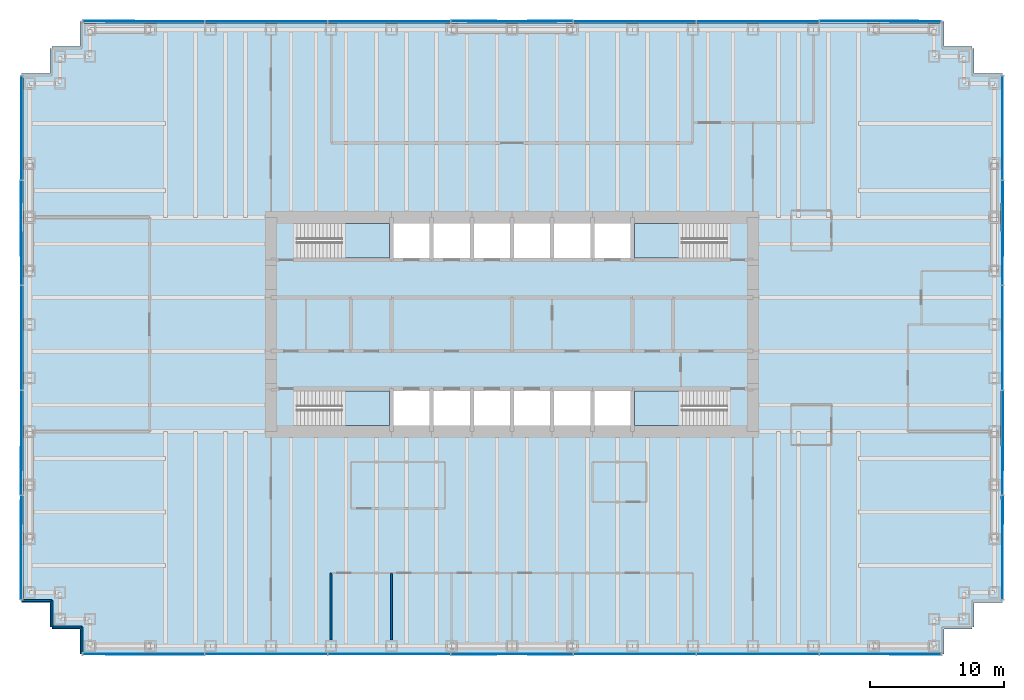
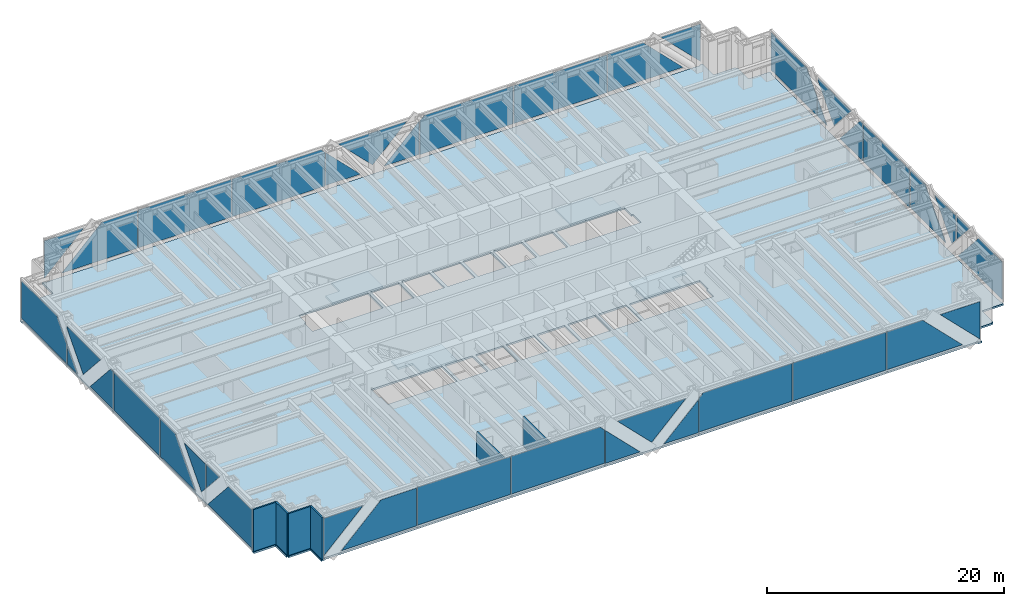
# One storey, part 8 of 13: 40 plates, 6 walls, 5 slabs, 8 elements without a shape of their own.
"""IFC4 building model written with IfcOpenShell, lengths in metres."""

from ifc_helpers import new_model, si_unit, direction, frame, frame_2d, origin, origin_2d, place, context, subcontext, project, spatial, polyline, rectangle, outline, extrude, material, layer, layer_set, type_object, element, aggregate, save


model = new_model("IFC4")

# Units and contexts
model_context = context("Model", 3, precision=1e-05, world=origin(), true_north=direction((0.0, 1.0)))
body_context = subcontext(model_context, "Body", "Model", "MODEL_VIEW")
ifc_project = project(units=[si_unit("LENGTHUNIT", "METRE"), si_unit("AREAUNIT", "SQUARE_METRE"), si_unit("VOLUMEUNIT", "CUBIC_METRE"), si_unit("PLANEANGLEUNIT", "RADIAN"), si_unit("MASSUNIT", "GRAM", prefix="KILO")], contexts=[model_context])

# Site, building, storey
site_placement = place(None, origin())
site = spatial("IfcSite", under=ifc_project, at=site_placement, CompositionType="ELEMENT")
building_placement = place(site_placement, origin())
building = spatial("IfcBuilding", under=site, at=building_placement, Name="Rheinbord Bourse Tower", CompositionType="ELEMENT")
storey_placement = place(building_placement, frame((0.0, 0.0, 32.0)))
storey = spatial("IfcBuildingStorey", under=building, at=storey_placement, Name="L06", CompositionType="ELEMENT", Elevation=32.0)

# Slab
ifc_material_1 = material(Name="Concrete C30/37", Category="concrete")
ifc_layer_1 = layer(ifc_material_1, 0.179931640625)
ifc_layer_set_1 = layer_set([ifc_layer_1], Name="COMPOSITE FLOOR SLAB 180")
slab_type_1 = type_object("IfcSlabType", Name="COMPOSITE FLOOR SLAB 180", PredefinedType="FLOOR", material=ifc_layer_set_1)
slab_1_placement = place(storey_placement, frame((0.0, 0.0, -0.179931640625)))
element("IfcSlab", 1, at=slab_1_placement, inside=storey, type_object=slab_type_1, Name="Floor slab L06", PredefinedType="FLOOR", context=body_context, shape_type="SweptSolid", body=[
    extrude(outline(polyline([(1.64990234375, 1.39990234375), (1.5, 1.39990234375), (1.5, 3.25), (-0.60009765625, 3.25), (-0.60009765625, 3.550048828125), (-0.5, 3.550048828125), (-0.5, 42.449951171875), (-0.60009765625, 42.449951171875), (-0.60009765625, 42.75), (1.5, 42.75), (1.5, 44.60009765625), (1.64990234375, 44.60009765625), (1.64990234375, 44.75), (3.75, 44.75), (3.75, 46.60009765625), (4.050048828125, 46.60009765625), (4.050048828125, 46.5), (67.949951171875, 46.5), (67.949951171875, 46.60009765625), (68.25, 46.60009765625), (68.25, 44.75), (70.35009765625, 44.75), (70.35009765625, 44.60009765625), (70.5, 44.60009765625), (70.5, 42.75), (72.60009765625, 42.75), (72.60009765625, 42.449951171875), (72.5, 42.449951171875), (72.5, 3.550048828125), (72.60009765625, 3.550048828125), (72.60009765625, 3.25), (70.5, 3.25), (70.5, 1.39990234375), (70.35009765625, 1.39990234375), (70.35009765625, 1.25), (68.25, 1.25), (68.25, -0.60009765625), (67.949951171875, -0.60009765625), (67.949951171875, -0.5), (4.050048828125, -0.5), (4.050048828125, -0.60009765625), (3.75, -0.60009765625), (3.75, 1.25), (1.64990234375, 1.25), (1.64990234375, 1.39990234375)]), holes=[polyline([(19.949951171875, 19.050048828125), (26.85009765625, 19.050048828125), (26.85009765625, 16.449951171875), (20.10009765625, 16.449951171875), (20.10009765625, 17.64990234375), (19.949951171875, 17.64990234375), (19.949951171875, 19.050048828125)]), polyline([(26.85009765625, 31.550048828125), (26.85009765625, 28.949951171875), (19.949951171875, 28.949951171875), (19.949951171875, 30.35009765625), (20.10009765625, 30.35009765625), (20.10009765625, 31.550048828125), (26.85009765625, 31.550048828125)]), polyline([(45.14990234375, 16.449951171875), (45.14990234375, 19.050048828125), (52.050048828125, 19.050048828125), (52.050048828125, 17.64990234375), (51.89990234375, 17.64990234375), (51.89990234375, 16.449951171875), (45.14990234375, 16.449951171875)]), polyline([(52.050048828125, 28.949951171875), (45.14990234375, 28.949951171875), (45.14990234375, 31.550048828125), (51.89990234375, 31.550048828125), (51.89990234375, 30.35009765625), (52.050048828125, 30.35009765625), (52.050048828125, 28.949951171875)]), polyline([(27.14990234375, 16.449951171875), (27.14990234375, 19.050048828125), (29.85009765625, 19.050048828125), (29.85009765625, 16.449951171875), (27.14990234375, 16.449951171875)]), polyline([(27.14990234375, 28.949951171875), (27.14990234375, 31.550048828125), (29.85009765625, 31.550048828125), (29.85009765625, 28.949951171875), (27.14990234375, 28.949951171875)]), polyline([(30.14990234375, 16.449951171875), (30.14990234375, 19.050048828125), (32.85009765625, 19.050048828125), (32.85009765625, 16.449951171875), (30.14990234375, 16.449951171875)]), polyline([(30.14990234375, 28.949951171875), (30.14990234375, 31.550048828125), (32.85009765625, 31.550048828125), (32.85009765625, 28.949951171875), (30.14990234375, 28.949951171875)]), polyline([(33.14990234375, 16.449951171875), (33.14990234375, 19.050048828125), (35.85009765625, 19.050048828125), (35.85009765625, 16.449951171875), (33.14990234375, 16.449951171875)]), polyline([(33.14990234375, 28.949951171875), (33.14990234375, 31.550048828125), (35.85009765625, 31.550048828125), (35.85009765625, 28.949951171875), (33.14990234375, 28.949951171875)]), polyline([(36.14990234375, 16.449951171875), (36.14990234375, 19.050048828125), (38.85009765625, 19.050048828125), (38.85009765625, 16.449951171875), (36.14990234375, 16.449951171875)]), polyline([(36.14990234375, 28.949951171875), (36.14990234375, 31.550048828125), (38.85009765625, 31.550048828125), (38.85009765625, 28.949951171875), (36.14990234375, 28.949951171875)]), polyline([(39.14990234375, 16.449951171875), (39.14990234375, 19.050048828125), (41.85009765625, 19.050048828125), (41.85009765625, 16.449951171875), (39.14990234375, 16.449951171875)]), polyline([(39.14990234375, 28.949951171875), (39.14990234375, 31.550048828125), (41.85009765625, 31.550048828125), (41.85009765625, 28.949951171875), (39.14990234375, 28.949951171875)]), polyline([(42.14990234375, 16.449951171875), (42.14990234375, 19.050048828125), (44.85009765625, 19.050048828125), (44.85009765625, 16.449951171875), (42.14990234375, 16.449951171875)]), polyline([(42.14990234375, 28.949951171875), (42.14990234375, 31.550048828125), (44.85009765625, 31.550048828125), (44.85009765625, 28.949951171875), (42.14990234375, 28.949951171875)])]), origin(), (0.0, 0.0, 1.0), 0.179931640625),
])

# Curtain wall, plates
ifc_material_2 = material(Name="Dark glass and black aluminium", Category="aluminium")
curtain_wall_type = type_object("IfcCurtainWallType", Name="CW1 DARK GLASS CURTAIN WALL", PredefinedType="USERDEFINED", material=ifc_material_2)
curtain_wall_1_placement = place(storey_placement, origin())
curtain_wall_1 = element("IfcCurtainWall", 2, at=curtain_wall_1_placement, inside=storey, type_object=curtain_wall_type, Name="Curtain wall CW1 S L06", ObjectType="UNITISED CURTAIN WALL", PredefinedType="USERDEFINED")
ifc_material_3 = material(Name="Dark tinted triple insulating glass", Category="glass")
ifc_layer_2 = layer(ifc_material_3, 0.0439453125)
ifc_layer_set_2 = layer_set([ifc_layer_2], Name="CW1 DARK GLASS PANEL")
plate_type = type_object("IfcPlateType", Name="CW1 DARK GLASS PANEL", PredefinedType="CURTAIN_PANEL", material=ifc_layer_set_2)
plate_1_placement = place(storey_placement, frame((17.6572265625, -0.60009765625, 0.300048828125), z_axis=(0.0, 0.0, 1.0), x_axis=(1.0, 0.0, 0.0)))
plate_1 = element("IfcPlate", 3, at=plate_1_placement, type_object=plate_type, Name="CW1 panel 2.1", PredefinedType="CURTAIN_PANEL", context=body_context, shape_type="SweptSolid", body=[
    extrude(rectangle(XDim=9.09130859375, YDim=0.0439453125, at=origin_2d()), origin(), (0.0, 0.0, 1.0), 3.89990234375),
])
plate_2_placement = place(storey_placement, frame((54.3427734375, -0.60009765625, 0.300048828125), z_axis=(0.0, 0.0, 1.0), x_axis=(1.0, 0.0, 0.0)))
plate_2 = element("IfcPlate", 4, at=plate_2_placement, type_object=plate_type, Name="CW1 panel 6.1", PredefinedType="CURTAIN_PANEL", context=body_context, shape_type="SweptSolid", body=[
    extrude(rectangle(XDim=9.09130859375, YDim=0.0439453125, at=origin_2d()), origin(), (0.0, 0.0, 1.0), 3.89990234375),
])
plate_3_placement = place(storey_placement, frame((3.97998046875, -0.6220703125, 4.199951171875), z_axis=(0.0, 1.0, 0.0), x_axis=(1.0, 0.0, 0.0)))
plate_3 = element("IfcPlate", 5, at=plate_3_placement, type_object=plate_type, Name="CW1 glass facet 1", PredefinedType="CURTAIN_PANEL", context=body_context, shape_type="SweptSolid", body=[
    extrude(outline(polyline([(0.0, 0.0), (3.864013671875, 0.0), (0.0, 3.864013671875), (0.0, 0.0)])), origin(), (0.0, 0.0, 1.0), 0.0439453125),
])
plate_4_placement = place(storey_placement, frame((13.031005859375, -0.6708984375, 4.199951171875), z_axis=(0.0, 1.0, 0.0), x_axis=(0.0, 0.0, -1.0)))
plate_4 = element("IfcPlate", 6, at=plate_4_placement, type_object=plate_type, Name="CW1 glass facet 2", PredefinedType="CURTAIN_PANEL", context=body_context, shape_type="SweptSolid", body=[
    extrude(outline(polyline([(0.0, 0.0), (3.89990234375, 0.0), (3.89990234375, 7.375), (0.0, 3.47509765625), (0.0, 0.0)])), origin(), (0.0, 0.0, 1.0), 0.0439453125),
])
plate_5_placement = place(storey_placement, frame((31.3740234375, -0.6220703125, 0.300048828125), z_axis=(0.0, 1.0, 0.0), x_axis=(-1.0, 0.0, 0.0)))
plate_5 = element("IfcPlate", 7, at=plate_5_placement, type_object=plate_type, Name="CW1 glass facet 1", PredefinedType="CURTAIN_PANEL", context=body_context, shape_type="SweptSolid", body=[
    extrude(outline(polyline([(0.0, 0.0), (9.091064453125, 0.0), (9.091064453125, 3.89990234375), (0.429931640625, 3.89990234375), (0.0, 3.469970703125), (0.0, 0.0)])), origin(), (0.0, 0.0, 1.0), 0.0439453125),
])
plate_6_placement = place(storey_placement, frame((31.4541015625, -0.6708984375, 0.300048828125), z_axis=(0.0, 1.0, 0.0), x_axis=(0.0, 0.0, 1.0)))
plate_6 = element("IfcPlate", 8, at=plate_6_placement, type_object=plate_type, Name="CW1 glass facet 1", PredefinedType="CURTAIN_PANEL", context=body_context, shape_type="SweptSolid", body=[
    extrude(outline(polyline([(0.0, 0.0), (3.389892578125, 0.0), (0.0, 3.389892578125), (0.0, 0.0)])), origin(), (0.0, 0.0, 1.0), 0.0439453125),
])
plate_7_placement = place(storey_placement, frame((39.343994140625, -0.6220703125, 4.199951171875), z_axis=(0.0, 1.0, 0.0), x_axis=(-0.707106781187, 0.0, -0.707106781187)))
plate_7 = element("IfcPlate", 9, at=plate_7_placement, type_object=plate_type, Name="CW1 glass facet 2", PredefinedType="CURTAIN_PANEL", context=body_context, shape_type="SweptSolid", body=[
    extrude(outline(polyline([(0.0, 0.0), (4.72900390625, 0.0), (4.72900390625, 4.72900390625), (0.0, 0.0)])), origin(), (0.0, 0.0, 1.0), 0.0439453125),
])
plate_8_placement = place(storey_placement, frame((40.5458984375, -0.6708984375, 0.300048828125), z_axis=(0.0, 1.0, 0.0), x_axis=(-1.0, 0.0, 0.0)))
plate_8 = element("IfcPlate", 10, at=plate_8_placement, type_object=plate_type, Name="CW1 glass facet 3", PredefinedType="CURTAIN_PANEL", context=body_context, shape_type="SweptSolid", body=[
    extrude(outline(polyline([(0.0, 0.0), (3.389892578125, 0.0), (0.0, 3.389892578125), (0.0, 0.0)])), origin(), (0.0, 0.0, 1.0), 0.0439453125),
])
plate_9_placement = place(storey_placement, frame((49.717041015625, -0.6220703125, 4.199951171875), z_axis=(0.0, 1.0, 0.0), x_axis=(0.0, 0.0, -1.0)))
plate_9 = element("IfcPlate", 11, at=plate_9_placement, type_object=plate_type, Name="CW1 glass facet 1", PredefinedType="CURTAIN_PANEL", context=body_context, shape_type="SweptSolid", body=[
    extrude(outline(polyline([(0.0, 0.0), (3.89990234375, 0.0), (3.89990234375, 9.091064453125), (0.429931640625, 9.091064453125), (0.0, 8.6611328125), (0.0, 0.0)])), origin(), (0.0, 0.0, 1.0), 0.0439453125),
])
plate_10_placement = place(storey_placement, frame((58.968994140625, -0.6220703125, 0.300048828125), z_axis=(0.0, 1.0, 0.0), x_axis=(0.0, 0.0, 1.0)))
plate_10 = element("IfcPlate", 12, at=plate_10_placement, type_object=plate_type, Name="CW1 glass facet 1", PredefinedType="CURTAIN_PANEL", context=body_context, shape_type="SweptSolid", body=[
    extrude(outline(polyline([(0.0, 0.0), (3.89990234375, 0.0), (3.89990234375, 3.47509765625), (0.0, 7.375), (0.0, 0.0)])), origin(), (0.0, 0.0, 1.0), 0.0439453125),
])
plate_11_placement = place(storey_placement, frame((68.02001953125, -0.6708984375, 4.199951171875), z_axis=(0.0, 1.0, 0.0), x_axis=(0.0, 0.0, -1.0)))
plate_11 = element("IfcPlate", 13, at=plate_11_placement, type_object=plate_type, Name="CW1 glass facet 2", PredefinedType="CURTAIN_PANEL", context=body_context, shape_type="SweptSolid", body=[
    extrude(outline(polyline([(0.0, 0.0), (3.864013671875, 0.0), (0.0, 3.864013671875), (0.0, 0.0)])), origin(), (0.0, 0.0, 1.0), 0.0439453125),
])
aggregate(curtain_wall_1, [plate_1, plate_2, plate_3, plate_4, plate_5, plate_6, plate_7, plate_8, plate_9, plate_10, plate_11])

curtain_wall_2_placement = place(storey_placement, origin())
curtain_wall_2 = element("IfcCurtainWall", 14, at=curtain_wall_2_placement, inside=storey, type_object=curtain_wall_type, Name="Curtain wall CW1 E L06", ObjectType="UNITISED CURTAIN WALL", PredefinedType="USERDEFINED")
plate_12_placement = place(storey_placement, frame((72.60009765625, 23.0, 0.300048828125), z_axis=(0.0, 0.0, 1.0), x_axis=(0.0, 1.0, 0.0)))
plate_12 = element("IfcPlate", 15, at=plate_12_placement, type_object=plate_type, Name="CW1 panel 3.1", PredefinedType="CURTAIN_PANEL", context=body_context, shape_type="SweptSolid", body=[
    extrude(rectangle(XDim=7.760009765625, YDim=0.0439453125, at=origin_2d()), origin(), (0.0, 0.0, 1.0), 3.89990234375),
])
plate_13_placement = place(storey_placement, frame((72.6220703125, 3.47998046875, 0.300048828125), z_axis=(-1.0, 0.0, 0.0), x_axis=(0.0, 0.0, 1.0)))
plate_13 = element("IfcPlate", 16, at=plate_13_placement, type_object=plate_type, Name="CW1 glass facet 1", PredefinedType="CURTAIN_PANEL", context=body_context, shape_type="SweptSolid", body=[
    extrude(outline(polyline([(0.0, 0.0), (3.89990234375, 0.0), (3.89990234375, 3.97705078125), (0.0, 7.444091796875), (0.0, 0.0)])), origin(), (0.0, 0.0, 1.0), 0.0439453125),
])
plate_14_placement = place(storey_placement, frame((72.6708984375, 11.199951171875, 4.199951171875), z_axis=(-1.0, 0.0, 0.0), x_axis=(0.0, 0.0, -1.0)))
plate_14 = element("IfcPlate", 17, at=plate_14_placement, type_object=plate_type, Name="CW1 glass facet 2", PredefinedType="CURTAIN_PANEL", context=body_context, shape_type="SweptSolid", body=[
    extrude(outline(polyline([(0.0, 0.0), (2.388916015625, 0.0), (0.0, 2.1240234375), (0.0, 0.0)])), origin(), (0.0, 0.0, 1.0), 0.0439453125),
])
plate_15_placement = place(storey_placement, frame((72.6220703125, 11.280029296875, 4.199951171875), z_axis=(-1.0, 0.0, 0.0), x_axis=(0.0, 1.0, 0.0)))
plate_15 = element("IfcPlate", 18, at=plate_15_placement, type_object=plate_type, Name="CW1 glass facet 1", PredefinedType="CURTAIN_PANEL", context=body_context, shape_type="SweptSolid", body=[
    extrude(outline(polyline([(0.0, 0.0), (3.64404296875, 0.0), (0.719970703125, 3.2890625), (0.0, 2.47900390625), (0.0, 0.0)])), origin(), (0.0, 0.0, 1.0), 0.0439453125),
])
plate_16_placement = place(storey_placement, frame((72.6708984375, 19.0400390625, 4.199951171875), z_axis=(-1.0, 0.0, 0.0), x_axis=(0.0, 0.0, -1.0)))
plate_16 = element("IfcPlate", 19, at=plate_16_placement, type_object=plate_type, Name="CW1 glass facet 2", PredefinedType="CURTAIN_PANEL", context=body_context, shape_type="SweptSolid", body=[
    extrude(outline(polyline([(0.0, 0.0), (3.89990234375, 0.0), (3.89990234375, 5.964111328125), (0.0, 2.4970703125), (0.0, 0.0)])), origin(), (0.0, 0.0, 1.0), 0.0439453125),
])
plate_17_placement = place(storey_placement, frame((72.6220703125, 26.9599609375, 0.300048828125), z_axis=(-1.0, 0.0, 0.0), x_axis=(0.0, 0.0, 1.0)))
plate_17 = element("IfcPlate", 20, at=plate_17_placement, type_object=plate_type, Name="CW1 glass facet 1", PredefinedType="CURTAIN_PANEL", context=body_context, shape_type="SweptSolid", body=[
    extrude(outline(polyline([(0.0, 0.0), (3.89990234375, 0.0), (3.89990234375, 0.4970703125), (0.0, 3.964111328125), (0.0, 0.0)])), origin(), (0.0, 0.0, 1.0), 0.0439453125),
])
plate_18_placement = place(storey_placement, frame((72.6708984375, 34.719970703125, 4.199951171875), z_axis=(-1.0, 0.0, 0.0), x_axis=(0.0, 0.0, -1.0)))
plate_18 = element("IfcPlate", 21, at=plate_18_placement, type_object=plate_type, Name="CW1 glass facet 2", PredefinedType="CURTAIN_PANEL", context=body_context, shape_type="SweptSolid", body=[
    extrude(outline(polyline([(0.0, 0.0), (0.22900390625, 0.0), (3.2890625, 2.719970703125), (0.0, 5.64404296875), (0.0, 0.0)])), origin(), (0.0, 0.0, 1.0), 0.0439453125),
])
plate_19_placement = place(storey_placement, frame((72.6220703125, 34.719970703125, 0.300048828125), z_axis=(-1.0, 0.0, 0.0), x_axis=(0.0, -1.0, 0.0)))
plate_19 = element("IfcPlate", 22, at=plate_19_placement, type_object=plate_type, Name="CW1 glass facet 3", PredefinedType="CURTAIN_PANEL", context=body_context, shape_type="SweptSolid", body=[
    extrude(outline(polyline([(0.0, 0.0), (1.64404296875, 0.0), (0.0, 1.848876953125), (0.0, 0.0)])), origin(), (0.0, 0.0, 1.0), 0.0439453125),
])
plate_20_placement = place(storey_placement, frame((72.6220703125, 42.52001953125, 4.199951171875), z_axis=(-1.0, 0.0, 0.0), x_axis=(0.0, 0.0, -1.0)))
plate_20 = element("IfcPlate", 23, at=plate_20_placement, type_object=plate_type, Name="CW1 glass facet 1", PredefinedType="CURTAIN_PANEL", context=body_context, shape_type="SweptSolid", body=[
    extrude(outline(polyline([(0.0, 0.0), (3.89990234375, 0.0), (3.89990234375, 7.719970703125), (1.9609375, 7.719970703125), (0.0, 5.97705078125), (0.0, 0.0)])), origin(), (0.0, 0.0, 1.0), 0.0439453125),
])
aggregate(curtain_wall_2, [plate_12, plate_13, plate_14, plate_15, plate_16, plate_17, plate_18, plate_19, plate_20])

curtain_wall_3_placement = place(storey_placement, origin())
curtain_wall_3 = element("IfcCurtainWall", 24, at=curtain_wall_3_placement, inside=storey, type_object=curtain_wall_type, Name="Curtain wall CW1 N L06", ObjectType="UNITISED CURTAIN WALL", PredefinedType="USERDEFINED")
plate_21_placement = place(storey_placement, frame((54.3427734375, 46.60009765625, 0.300048828125), z_axis=(0.0, 0.0, 1.0), x_axis=(-1.0, 0.0, 0.0)))
plate_21 = element("IfcPlate", 25, at=plate_21_placement, type_object=plate_type, Name="CW1 panel 2.1", PredefinedType="CURTAIN_PANEL", context=body_context, shape_type="SweptSolid", body=[
    extrude(rectangle(XDim=9.09130859375, YDim=0.0439453125, at=origin_2d()), origin(), (0.0, 0.0, 1.0), 3.89990234375),
])
plate_22_placement = place(storey_placement, frame((17.6572265625, 46.60009765625, 0.300048828125), z_axis=(0.0, 0.0, 1.0), x_axis=(-1.0, 0.0, 0.0)))
plate_22 = element("IfcPlate", 26, at=plate_22_placement, type_object=plate_type, Name="CW1 panel 6.1", PredefinedType="CURTAIN_PANEL", context=body_context, shape_type="SweptSolid", body=[
    extrude(rectangle(XDim=9.09130859375, YDim=0.0439453125, at=origin_2d()), origin(), (0.0, 0.0, 1.0), 3.89990234375),
])
plate_23_placement = place(storey_placement, frame((68.02001953125, 46.6220703125, 4.199951171875), z_axis=(0.0, -1.0, 0.0), x_axis=(-1.0, 0.0, 0.0)))
plate_23 = element("IfcPlate", 27, at=plate_23_placement, type_object=plate_type, Name="CW1 glass facet 1", PredefinedType="CURTAIN_PANEL", context=body_context, shape_type="SweptSolid", body=[
    extrude(outline(polyline([(0.0, 0.0), (3.864013671875, 0.0), (0.0, 3.864013671875), (0.0, 0.0)])), origin(), (0.0, 0.0, 1.0), 0.0439453125),
])
plate_24_placement = place(storey_placement, frame((58.968994140625, 46.6708984375, 4.199951171875), z_axis=(0.0, -1.0, 0.0), x_axis=(0.0, 0.0, -1.0)))
plate_24 = element("IfcPlate", 28, at=plate_24_placement, type_object=plate_type, Name="CW1 glass facet 2", PredefinedType="CURTAIN_PANEL", context=body_context, shape_type="SweptSolid", body=[
    extrude(outline(polyline([(0.0, 0.0), (3.89990234375, 0.0), (3.89990234375, 7.375), (0.0, 3.47509765625), (0.0, 0.0)])), origin(), (0.0, 0.0, 1.0), 0.0439453125),
])
plate_25_placement = place(storey_placement, frame((40.6259765625, 46.6220703125, 0.300048828125), z_axis=(0.0, -1.0, 0.0), x_axis=(1.0, 0.0, 0.0)))
plate_25 = element("IfcPlate", 29, at=plate_25_placement, type_object=plate_type, Name="CW1 glass facet 1", PredefinedType="CURTAIN_PANEL", context=body_context, shape_type="SweptSolid", body=[
    extrude(outline(polyline([(0.0, 0.0), (9.091064453125, 0.0), (9.091064453125, 3.89990234375), (0.429931640625, 3.89990234375), (0.0, 3.469970703125), (0.0, 0.0)])), origin(), (0.0, 0.0, 1.0), 0.0439453125),
])
plate_26_placement = place(storey_placement, frame((40.5458984375, 46.6708984375, 0.300048828125), z_axis=(0.0, -1.0, 0.0), x_axis=(0.0, 0.0, 1.0)))
plate_26 = element("IfcPlate", 30, at=plate_26_placement, type_object=plate_type, Name="CW1 glass facet 1", PredefinedType="CURTAIN_PANEL", context=body_context, shape_type="SweptSolid", body=[
    extrude(outline(polyline([(0.0, 0.0), (3.389892578125, 0.0), (0.0, 3.389892578125), (0.0, 0.0)])), origin(), (0.0, 0.0, 1.0), 0.0439453125),
])
plate_27_placement = place(storey_placement, frame((32.656005859375, 46.6220703125, 4.199951171875), z_axis=(0.0, -1.0, 0.0), x_axis=(0.707106781187, 0.0, -0.707106781187)))
plate_27 = element("IfcPlate", 31, at=plate_27_placement, type_object=plate_type, Name="CW1 glass facet 2", PredefinedType="CURTAIN_PANEL", context=body_context, shape_type="SweptSolid", body=[
    extrude(outline(polyline([(0.0, 0.0), (4.72900390625, 0.0), (4.72900390625, 4.72900390625), (0.0, 0.0)])), origin(), (0.0, 0.0, 1.0), 0.0439453125),
])
plate_28_placement = place(storey_placement, frame((31.4541015625, 46.6708984375, 0.300048828125), z_axis=(0.0, -1.0, 0.0), x_axis=(1.0, 0.0, 0.0)))
plate_28 = element("IfcPlate", 32, at=plate_28_placement, type_object=plate_type, Name="CW1 glass facet 3", PredefinedType="CURTAIN_PANEL", context=body_context, shape_type="SweptSolid", body=[
    extrude(outline(polyline([(0.0, 0.0), (3.389892578125, 0.0), (0.0, 3.389892578125), (0.0, 0.0)])), origin(), (0.0, 0.0, 1.0), 0.0439453125),
])
plate_29_placement = place(storey_placement, frame((22.282958984375, 46.6220703125, 4.199951171875), z_axis=(0.0, -1.0, 0.0), x_axis=(0.0, 0.0, -1.0)))
plate_29 = element("IfcPlate", 33, at=plate_29_placement, type_object=plate_type, Name="CW1 glass facet 1", PredefinedType="CURTAIN_PANEL", context=body_context, shape_type="SweptSolid", body=[
    extrude(outline(polyline([(0.0, 0.0), (3.89990234375, 0.0), (3.89990234375, 9.091064453125), (0.429931640625, 9.091064453125), (0.0, 8.6611328125), (0.0, 0.0)])), origin(), (0.0, 0.0, 1.0), 0.0439453125),
])
plate_30_placement = place(storey_placement, frame((13.031005859375, 46.6220703125, 0.300048828125), z_axis=(0.0, -1.0, 0.0), x_axis=(0.0, 0.0, 1.0)))
plate_30 = element("IfcPlate", 34, at=plate_30_placement, type_object=plate_type, Name="CW1 glass facet 1", PredefinedType="CURTAIN_PANEL", context=body_context, shape_type="SweptSolid", body=[
    extrude(outline(polyline([(0.0, 0.0), (3.89990234375, 0.0), (3.89990234375, 3.47509765625), (0.0, 7.375), (0.0, 0.0)])), origin(), (0.0, 0.0, 1.0), 0.0439453125),
])
plate_31_placement = place(storey_placement, frame((3.97998046875, 46.6708984375, 4.199951171875), z_axis=(0.0, -1.0, 0.0), x_axis=(0.0, 0.0, -1.0)))
plate_31 = element("IfcPlate", 35, at=plate_31_placement, type_object=plate_type, Name="CW1 glass facet 2", PredefinedType="CURTAIN_PANEL", context=body_context, shape_type="SweptSolid", body=[
    extrude(outline(polyline([(0.0, 0.0), (3.864013671875, 0.0), (0.0, 3.864013671875), (0.0, 0.0)])), origin(), (0.0, 0.0, 1.0), 0.0439453125),
])
aggregate(curtain_wall_3, [plate_21, plate_22, plate_23, plate_24, plate_25, plate_26, plate_27, plate_28, plate_29, plate_30, plate_31])

curtain_wall_4_placement = place(storey_placement, origin())
curtain_wall_4 = element("IfcCurtainWall", 36, at=curtain_wall_4_placement, inside=storey, type_object=curtain_wall_type, Name="Curtain wall CW1 W L06", ObjectType="UNITISED CURTAIN WALL", PredefinedType="USERDEFINED")
plate_32_placement = place(storey_placement, frame((-0.60009765625, 23.0, 0.300048828125), z_axis=(0.0, 0.0, 1.0), x_axis=(0.0, -1.0, 0.0)))
plate_32 = element("IfcPlate", 37, at=plate_32_placement, type_object=plate_type, Name="CW1 panel 3.1", PredefinedType="CURTAIN_PANEL", context=body_context, shape_type="SweptSolid", body=[
    extrude(rectangle(XDim=7.760009765625, YDim=0.0439453125, at=origin_2d()), origin(), (0.0, 0.0, 1.0), 3.89990234375),
])
plate_33_placement = place(storey_placement, frame((-0.6220703125, 34.800048828125, 0.300048828125), z_axis=(1.0, 0.0, 0.0), x_axis=(0.0, 1.0, 0.0)))
plate_33 = element("IfcPlate", 38, at=plate_33_placement, type_object=plate_type, Name="CW1 glass facet 1", PredefinedType="CURTAIN_PANEL", context=body_context, shape_type="SweptSolid", body=[
    extrude(outline(polyline([(0.0, 0.0), (7.719970703125, 0.0), (7.719970703125, 3.89990234375), (1.742919921875, 3.89990234375), (0.0, 1.93896484375), (0.0, 0.0)])), origin(), (0.0, 0.0, 1.0), 0.0439453125),
])
plate_34_placement = place(storey_placement, frame((-0.6220703125, 34.719970703125, 0.300048828125), z_axis=(1.0, 0.0, 0.0), x_axis=(0.0, 0.0, 1.0)))
plate_34 = element("IfcPlate", 39, at=plate_34_placement, type_object=plate_type, Name="CW1 glass facet 1", PredefinedType="CURTAIN_PANEL", context=body_context, shape_type="SweptSolid", body=[
    extrude(outline(polyline([(0.0, 0.0), (1.848876953125, 0.0), (0.0, 1.64404296875), (0.0, 0.0)])), origin(), (0.0, 0.0, 1.0), 0.0439453125),
])
plate_35_placement = place(storey_placement, frame((-0.6708984375, 34.719970703125, 4.199951171875), z_axis=(1.0, 0.0, 0.0), x_axis=(0.0, -1.0, 0.0)))
plate_35 = element("IfcPlate", 40, at=plate_35_placement, type_object=plate_type, Name="CW1 glass facet 2", PredefinedType="CURTAIN_PANEL", context=body_context, shape_type="SweptSolid", body=[
    extrude(outline(polyline([(0.0, 0.0), (5.64404296875, 0.0), (2.719970703125, 3.2890625), (0.0, 0.22900390625), (0.0, 0.0)])), origin(), (0.0, 0.0, 1.0), 0.0439453125),
])
plate_36_placement = place(storey_placement, frame((-0.6220703125, 26.9599609375, 4.199951171875), z_axis=(1.0, 0.0, 0.0), x_axis=(0.0, 0.0, -1.0)))
plate_36 = element("IfcPlate", 41, at=plate_36_placement, type_object=plate_type, Name="CW1 glass facet 3", PredefinedType="CURTAIN_PANEL", context=body_context, shape_type="SweptSolid", body=[
    extrude(outline(polyline([(0.0, 0.0), (3.89990234375, 0.0), (3.89990234375, 3.964111328125), (0.0, 0.4970703125), (0.0, 0.0)])), origin(), (0.0, 0.0, 1.0), 0.0439453125),
])
plate_37_placement = place(storey_placement, frame((-0.6220703125, 19.0400390625, 0.300048828125), z_axis=(1.0, 0.0, 0.0), x_axis=(0.0, 0.0, 1.0)))
plate_37 = element("IfcPlate", 42, at=plate_37_placement, type_object=plate_type, Name="CW1 glass facet 1", PredefinedType="CURTAIN_PANEL", context=body_context, shape_type="SweptSolid", body=[
    extrude(outline(polyline([(0.0, 0.0), (3.89990234375, 0.0), (3.89990234375, 2.4970703125), (0.0, 5.964111328125), (0.0, 0.0)])), origin(), (0.0, 0.0, 1.0), 0.0439453125),
])
plate_38_placement = place(storey_placement, frame((-0.6708984375, 11.280029296875, 4.199951171875), z_axis=(1.0, 0.0, 0.0), x_axis=(0.0, 0.0, -1.0)))
plate_38 = element("IfcPlate", 43, at=plate_38_placement, type_object=plate_type, Name="CW1 glass facet 2", PredefinedType="CURTAIN_PANEL", context=body_context, shape_type="SweptSolid", body=[
    extrude(outline(polyline([(0.0, 0.0), (2.47900390625, 0.0), (3.2890625, 0.719970703125), (0.0, 3.64404296875), (0.0, 0.0)])), origin(), (0.0, 0.0, 1.0), 0.0439453125),
])
plate_39_placement = place(storey_placement, frame((-0.6220703125, 11.199951171875, 4.199951171875), z_axis=(1.0, 0.0, 0.0), x_axis=(0.0, -1.0, 0.0)))
plate_39 = element("IfcPlate", 44, at=plate_39_placement, type_object=plate_type, Name="CW1 glass facet 1", PredefinedType="CURTAIN_PANEL", context=body_context, shape_type="SweptSolid", body=[
    extrude(outline(polyline([(0.0, 0.0), (2.1240234375, 0.0), (0.0, 2.388916015625), (0.0, 0.0)])), origin(), (0.0, 0.0, 1.0), 0.0439453125),
])
plate_40_placement = place(storey_placement, frame((-0.6708984375, 3.47998046875, 4.199951171875), z_axis=(1.0, 0.0, 0.0), x_axis=(0.0, 0.0, -1.0)))
plate_40 = element("IfcPlate", 45, at=plate_40_placement, type_object=plate_type, Name="CW1 glass facet 2", PredefinedType="CURTAIN_PANEL", context=body_context, shape_type="SweptSolid", body=[
    extrude(outline(polyline([(0.0, 0.0), (3.89990234375, 0.0), (3.89990234375, 7.444091796875), (0.0, 3.97705078125), (0.0, 0.0)])), origin(), (0.0, 0.0, 1.0), 0.0439453125),
])
aggregate(curtain_wall_4, [plate_32, plate_33, plate_34, plate_35, plate_36, plate_37, plate_38, plate_39, plate_40])

# Stair, slab
ifc_material_4 = material(Name="Concrete C30/37", Category="concrete")
stair_type = type_object("IfcStairType", Name="CORE STAIR HALF TURN 4500", PredefinedType="HALF_TURN_STAIR", material=ifc_material_4)
stair_1_placement = place(storey_placement, origin())
stair_1 = element("IfcStair", 46, at=stair_1_placement, inside=storey, type_object=stair_type, Name="Stair ST1 L06, type CS4", PredefinedType="HALF_TURN_STAIR")
ifc_material_5 = material(Name="Concrete C30/37", Category="concrete")
ifc_layer_3 = layer(ifc_material_5, 0.199951171875)
ifc_layer_set_3 = layer_set([ifc_layer_3], Name="STAIR LANDING 200")
slab_type_2 = type_object("IfcSlabType", Name="STAIR LANDING 200", PredefinedType="LANDING", material=ifc_layer_set_3)
slab_2_placement = place(storey_placement, frame((0.0, 0.0, 2.050048828125)))
slab_2 = element("IfcSlab", 47, at=slab_2_placement, type_object=slab_type_2, Name="Half landing ST1 L06", PredefinedType="LANDING", context=body_context, shape_type="SweptSolid", body=[
    extrude(outline(polyline([(23.31005859375, 16.449951171875), (26.85009765625, 16.449951171875), (26.85009765625, 19.050048828125), (21.916015625, 19.050048828125), (21.916015625, 17.85009765625), (23.31005859375, 17.85009765625), (23.31005859375, 16.449951171875)])), origin(), (0.0, 0.0, 1.0), 0.199951171875),
])
aggregate(stair_1, [slab_2])

stair_2_placement = place(storey_placement, origin())
stair_2 = element("IfcStair", 48, at=stair_2_placement, inside=storey, type_object=stair_type, Name="Stair ST2 L06, type CS4", PredefinedType="HALF_TURN_STAIR")
slab_3_placement = place(storey_placement, frame((0.0, 0.0, 2.050048828125)))
slab_3 = element("IfcSlab", 49, at=slab_3_placement, type_object=slab_type_2, Name="Half landing ST2 L06", PredefinedType="LANDING", context=body_context, shape_type="SweptSolid", body=[
    extrude(outline(polyline([(21.916015625, 28.949951171875), (26.85009765625, 28.949951171875), (26.85009765625, 31.550048828125), (23.31005859375, 31.550048828125), (23.31005859375, 30.14990234375), (21.916015625, 30.14990234375), (21.916015625, 28.949951171875)])), origin(), (0.0, 0.0, 1.0), 0.199951171875),
])
aggregate(stair_2, [slab_3])

stair_3_placement = place(storey_placement, origin())
stair_3 = element("IfcStair", 50, at=stair_3_placement, inside=storey, type_object=stair_type, Name="Stair ST3 L06, type CS4", PredefinedType="HALF_TURN_STAIR")
slab_4_placement = place(storey_placement, frame((0.0, 0.0, 2.050048828125)))
slab_4 = element("IfcSlab", 51, at=slab_4_placement, type_object=slab_type_2, Name="Half landing ST3 L06", PredefinedType="LANDING", context=body_context, shape_type="SweptSolid", body=[
    extrude(outline(polyline([(45.14990234375, 16.449951171875), (48.68994140625, 16.449951171875), (48.68994140625, 17.85009765625), (50.083984375, 17.85009765625), (50.083984375, 19.050048828125), (45.14990234375, 19.050048828125), (45.14990234375, 16.449951171875)])), origin(), (0.0, 0.0, 1.0), 0.199951171875),
])
aggregate(stair_3, [slab_4])

stair_4_placement = place(storey_placement, origin())
stair_4 = element("IfcStair", 52, at=stair_4_placement, inside=storey, type_object=stair_type, Name="Stair ST4 L06, type CS4", PredefinedType="HALF_TURN_STAIR")
slab_5_placement = place(storey_placement, frame((0.0, 0.0, 2.050048828125)))
slab_5 = element("IfcSlab", 53, at=slab_5_placement, type_object=slab_type_2, Name="Half landing ST4 L06", PredefinedType="LANDING", context=body_context, shape_type="SweptSolid", body=[
    extrude(outline(polyline([(45.14990234375, 28.949951171875), (50.083984375, 28.949951171875), (50.083984375, 30.14990234375), (48.68994140625, 30.14990234375), (48.68994140625, 31.550048828125), (45.14990234375, 31.550048828125), (45.14990234375, 28.949951171875)])), origin(), (0.0, 0.0, 1.0), 0.199951171875),
])
aggregate(stair_4, [slab_5])

# Walls
ifc_material_6 = material(Name="Black metal rainscreen panel", Category="aluminium")
ifc_layer_4 = layer(ifc_material_6, 0.14990234375)
ifc_layer_set_4 = layer_set([ifc_layer_4], Name="CORNER PIER CLADDING 150")
wall_type_1 = type_object("IfcWallType", Name="CORNER PIER CLADDING 150", PredefinedType="ELEMENTEDWALL", material=ifc_layer_set_4)
wall_1_placement = place(storey_placement, frame((-0.60009765625, 3.39990234375, 0.0), z_axis=(0.0, 0.0, 1.0), x_axis=(1.0, 0.0, 0.0)))
element("IfcWall", 54, at=wall_1_placement, inside=storey, type_object=wall_type_1, Name="Corner pier cladding L06 17", PredefinedType="ELEMENTEDWALL", context=body_context, shape_type="SweptSolid", body=[
    extrude(rectangle(XDim=2.25, YDim=0.14990234375, at=frame_2d((1.125, 0.0))), origin(), (0.0, 0.0, 1.0), 4.320068359375),
])
wall_2_placement = place(storey_placement, frame((1.64990234375, 3.39990234375, 0.0), z_axis=(0.0, 0.0, 1.0), x_axis=(0.0, -1.0, 0.0)))
element("IfcWall", 55, at=wall_2_placement, inside=storey, type_object=wall_type_1, Name="Corner pier cladding L06 18", PredefinedType="ELEMENTEDWALL", context=body_context, shape_type="SweptSolid", body=[
    extrude(rectangle(XDim=2.0, YDim=0.14990234375, at=frame_2d((1.0, 0.0))), origin(), (0.0, 0.0, 1.0), 4.320068359375),
])
wall_3_placement = place(storey_placement, frame((1.64990234375, 1.39990234375, 0.0), z_axis=(0.0, 0.0, 1.0), x_axis=(1.0, 0.0, 0.0)))
element("IfcWall", 56, at=wall_3_placement, inside=storey, type_object=wall_type_1, Name="Corner pier cladding L06 19", PredefinedType="ELEMENTEDWALL", context=body_context, shape_type="SweptSolid", body=[
    extrude(rectangle(XDim=2.25, YDim=0.14990234375, at=frame_2d((1.125, 0.0))), origin(), (0.0, 0.0, 1.0), 4.320068359375),
])
wall_4_placement = place(storey_placement, frame((3.89990234375, 1.39990234375, 0.0), z_axis=(0.0, 0.0, 1.0), x_axis=(0.0, -1.0, 0.0)))
element("IfcWall", 57, at=wall_4_placement, inside=storey, type_object=wall_type_1, Name="Corner pier cladding L06 20", PredefinedType="ELEMENTEDWALL", context=body_context, shape_type="SweptSolid", body=[
    extrude(rectangle(XDim=2.0, YDim=0.14990234375, at=frame_2d((1.0, 0.0))), origin(), (0.0, 0.0, 1.0), 4.320068359375),
])
ifc_material_7 = material(Name="Gypsum board partition", Category="gypsum board")
ifc_layer_5 = layer(ifc_material_7, 0.14990234375)
ifc_layer_set_5 = layer_set([ifc_layer_5], Name="PARTITION 150")
wall_type_2 = type_object("IfcWallType", Name="PARTITION 150", PredefinedType="PARTITIONING", material=ifc_layer_set_5)
for number, where, z_axis, x_axis, name in (
    (58, (22.5, 0.449951171875, 0.0), (0.0, 0.0, 1.0), (0.0, 1.0, 0.0), "Partition L06-20"),
    (59, (27.0, 0.449951171875, 0.0), (0.0, 0.0, 1.0), (0.0, 1.0, 0.0), "Partition L06-23"),
):
    element("IfcWall", number, at=place(storey_placement, frame(where, z_axis=z_axis, x_axis=x_axis)), inside=storey, type_object=wall_type_2, Name=name, PredefinedType="PARTITIONING", context=body_context, shape_type="SweptSolid", body=[
        extrude(rectangle(XDim=5.0, YDim=0.14990234375, at=frame_2d((2.5, 0.0))), origin(), (0.0, 0.0, 1.0), 3.0),
    ])

save(model, "model.ifc")
